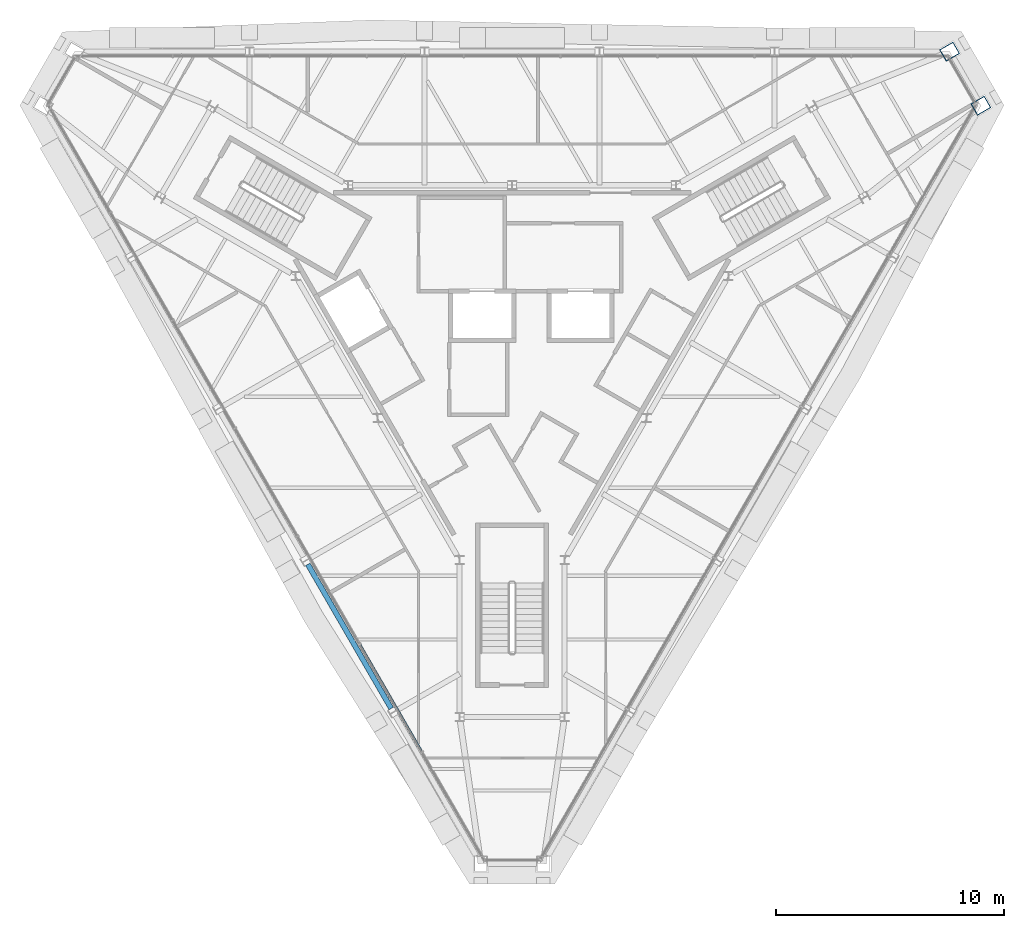
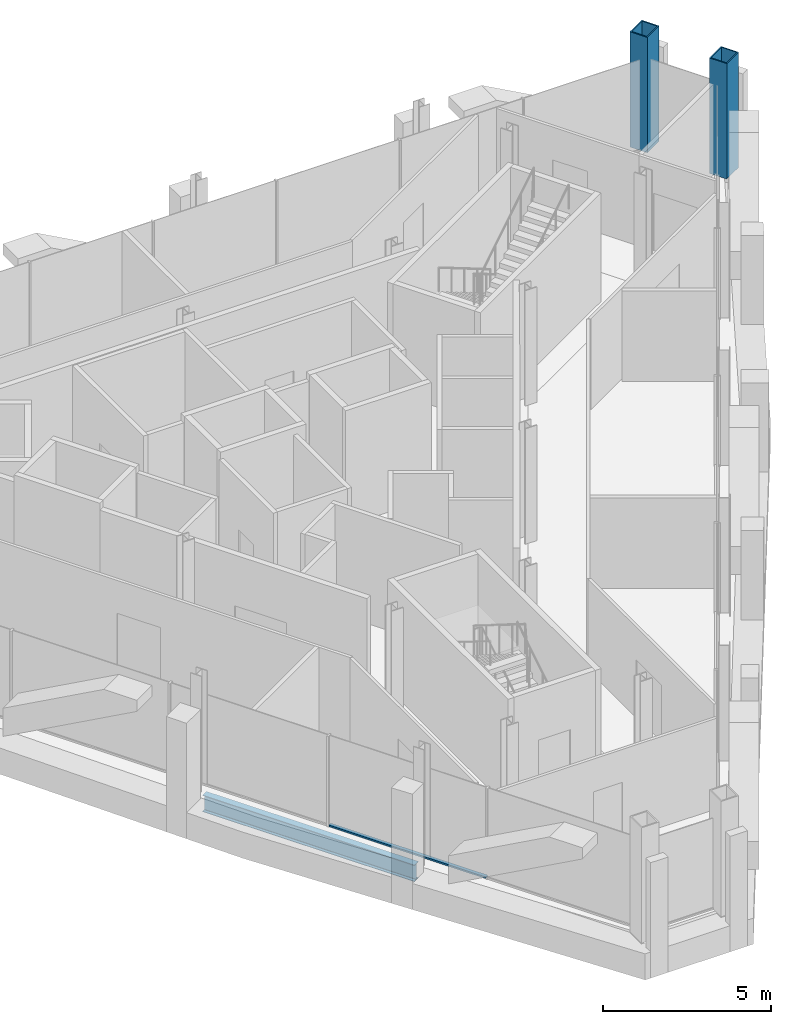
# One storey, part 2 of 13: 2 columns, 1 beam, 1 member, 1 element without a shape of its own.
"""IFC4 building model written with IfcOpenShell, lengths in metres."""

import ifcopenshell
import ifcopenshell.guid

model = None  # the IFC model being written
_history = None  # IfcOwnerHistory: only IFC2X3 demands one
_inside = {}  # id of a spatial element -> (the spatial element, [elements in it])
_under = {}  # id of a project, library or spatial element -> (it, [spatial elements below it])
_declared = {}  # id of a project -> (the project, [libraries it declares])
_typed = {}  # id of a type object -> (the type object, [elements of that type])
_made_of = {}  # id of a material, layer set ... -> (it, [elements and type objects made of it])


def new_model(schema):
    """Start an empty IFC model of exactly this schema.

    Asked for "IFC4X3", IfcOpenShell would pick the latest addendum, in which some entities
    have other attributes; the version numbers below select the first issue.
    IFC2X3 requires an IfcOwnerHistory on every rooted entity: one is made here for all.
    """
    global model, _history
    if schema == "IFC4X3":
        model = ifcopenshell.file(schema_version=(4, 3, 0, 0))
    else:
        model = ifcopenshell.file(schema=schema)
    _inside.clear()
    _under.clear()
    _declared.clear()
    _typed.clear()
    _made_of.clear()
    _history = None
    if model.schema == "IFC2X3":
        org = make("IfcOrganization", Name="unknown")
        user = make(
            "IfcPersonAndOrganization",
            ThePerson=make("IfcPerson", FamilyName="unknown"),
            TheOrganization=org,
        )
        app = make(
            "IfcApplication",
            ApplicationDeveloper=org,
            Version="unknown",
            ApplicationFullName="unknown",
            ApplicationIdentifier="unknown",
        )
        _history = make(
            "IfcOwnerHistory",
            OwningUser=user,
            OwningApplication=app,
            ChangeAction="ADDED",
            CreationDate=0,
        )
    return model


def make(cls, **values):
    """One entity of the class cls with the attributes given. An attribute that is None is left unset."""
    return model.create_entity(
        cls, **{name: value for name, value in values.items() if value is not None}
    )


def rooted(cls, **values):
    """An entity with a GlobalId (a new one), such as an element, a storey or a relation."""
    return make(cls, GlobalId=ifcopenshell.guid.new(), OwnerHistory=_history, **values)


def si_unit(unit_type, name, prefix=None):
    """IfcSIUnit, for example si_unit("LENGTHUNIT", "METRE", prefix="MILLI")."""
    return make("IfcSIUnit", UnitType=unit_type, Prefix=prefix, Name=name)


def assignment(units):
    """IfcUnitAssignment: the units of a project."""
    return None if units is None else make("IfcUnitAssignment", Units=units)


def point(xyz):
    """IfcCartesianPoint."""
    return None if xyz is None else make("IfcCartesianPoint", Coordinates=xyz)


def direction(xyz):
    """IfcDirection."""
    return None if xyz is None else make("IfcDirection", DirectionRatios=xyz)


def frame(location, z_axis=None, x_axis=None):
    """IfcAxis2Placement3D, a coordinate frame: its origin and axes. An axis left out is left unset."""
    return make(
        "IfcAxis2Placement3D",
        Location=point(location),
        Axis=direction(z_axis),
        RefDirection=direction(x_axis),
    )


def frame_2d(location, x_axis=None):
    """IfcAxis2Placement2D, a coordinate frame in the plane: its origin and x axis."""
    return make(
        "IfcAxis2Placement2D", Location=point(location), RefDirection=direction(x_axis)
    )


def origin():
    """The frame at (0, 0, 0) with its axes left unset."""
    return frame((0.0, 0.0, 0.0))


def origin_2d():
    """The frame at (0, 0) in the plane with its x axis left unset."""
    return frame_2d((0.0, 0.0))


def place(relative_to, where):
    """IfcLocalPlacement: puts the frame where relative to a parent placement (None: the world)."""
    return make(
        "IfcLocalPlacement", PlacementRelTo=relative_to, RelativePlacement=where
    )


def context(
    kind, dimensions, precision=None, world=None, true_north=None, identifier=None
):
    """IfcGeometricRepresentationContext, for example the 3D "Model" context."""
    return make(
        "IfcGeometricRepresentationContext",
        ContextIdentifier=identifier,
        ContextType=kind,
        CoordinateSpaceDimension=dimensions,
        Precision=precision,
        WorldCoordinateSystem=world,
        TrueNorth=true_north,
    )


def subcontext(parent, identifier, kind, view, scale=None):
    """IfcGeometricRepresentationSubContext, for example "Body" below "Model"."""
    return make(
        "IfcGeometricRepresentationSubContext",
        ContextIdentifier=identifier,
        ContextType=kind,
        ParentContext=parent,
        TargetScale=scale,
        TargetView=view,
    )


def project(units=None, contexts=None):
    """IfcProject with its units and contexts."""
    return rooted(
        "IfcProject",
        Name="project",
        RepresentationContexts=contexts,
        UnitsInContext=assignment(units),
    )


def spatial(cls, under=None, at=None, **own):
    """A site, building, storey or space (cls), placed at a placement, below another one or the project."""
    s = rooted(cls, ObjectPlacement=at, **own)
    if under is not None:
        _under.setdefault(under.id(), (under, []))[1].append(s)
    return s


def profile(cls, at=None, kind="AREA", **sizes):
    """A parametric profile (cls). Its sizes go by their IFC names, for example OverallWidth=200.0."""
    return make(cls, ProfileType=kind, Position=at, **sizes)


def rectangle(**sizes):
    """IfcRectangleProfileDef."""
    return profile("IfcRectangleProfileDef", **sizes)


def hollow_rectangle(**sizes):
    """IfcRectangleHollowProfileDef."""
    return profile("IfcRectangleHollowProfileDef", **sizes)


def i_section(**sizes):
    """IfcIShapeProfileDef."""
    return profile("IfcIShapeProfileDef", **sizes)


def extrude(swept, where, along, depth):
    """IfcExtrudedAreaSolid: the profile swept, set in the frame where, extruded along a direction by depth."""
    return make(
        "IfcExtrudedAreaSolid",
        SweptArea=swept,
        Position=where,
        ExtrudedDirection=direction(along),
        Depth=depth,
    )


def shape(context_of_items, identifier, shape_type, items):
    """IfcShapeRepresentation: the items that make up one representation, for example the "Body"."""
    return make(
        "IfcShapeRepresentation",
        ContextOfItems=context_of_items,
        RepresentationIdentifier=identifier,
        RepresentationType=shape_type,
        Items=items,
    )


def material(Name=None, Category=None):
    """IfcMaterial."""
    return make("IfcMaterial", Name=Name, Category=Category)


def material_profile(
    of_material, cross_section, Name=None, Category=None, Priority=None
):
    """IfcMaterialProfile: a cross section and its material."""
    return make(
        "IfcMaterialProfile",
        Name=Name,
        Material=of_material,
        Profile=cross_section,
        Priority=Priority,
        Category=Category,
    )


def profile_set(profiles, Name=None, composite=None):
    """IfcMaterialProfileSet."""
    return make(
        "IfcMaterialProfileSet",
        Name=Name,
        MaterialProfiles=profiles,
        CompositeProfile=composite,
    )


def made_of(thing, what):
    """Note that an element or type object is made of a material, layer set ...; save() writes the relation."""
    if what is not None:
        _made_of.setdefault(what.id(), (what, []))[1].append(thing)
    return thing


def type_object(cls, material=None, **own):
    """A type object (cls), such as IfcWallType, which elements share."""
    return made_of(rooted(cls, **own), material)


def element(
    cls,
    number,
    at=None,
    inside=None,
    cuts=None,
    type_object=None,
    material=None,
    context=None,
    identifier="Body",
    shape_type=None,
    held_by="IfcProductDefinitionShape",
    body=None,
    shapes=None,
    **own,
):
    """One element of the class cls, such as IfcWall. Its Tag is "e" and its number.

    at: its placement. inside: the storey or other place that contains it. cuts: it is an
    opening in that element (IfcRelVoidsElement). A single representation is given by context,
    identifier, shape_type and body (its items); several are given by shapes. held_by: the class
    of the entity that holds the representations. save() writes the other relations.
    """
    e = rooted(cls, Tag="e%d" % number, ObjectPlacement=at, **own)
    if body is not None:
        shapes = [shape(context, identifier, shape_type, body)]
    if shapes is not None:
        e.Representation = make(held_by, Representations=shapes)
    if inside is not None:
        _inside.setdefault(inside.id(), (inside, []))[1].append(e)
    if cuts is not None:
        rooted(
            "IfcRelVoidsElement", RelatingBuildingElement=cuts, RelatedOpeningElement=e
        )
    if type_object is not None:
        _typed.setdefault(type_object.id(), (type_object, []))[1].append(e)
    return made_of(e, material)


def aggregate(whole, parts):
    """IfcRelAggregates: a whole, such as a stair, and the parts it consists of."""
    return rooted("IfcRelAggregates", RelatingObject=whole, RelatedObjects=parts)


def save(model, path):
    """Write the relations noted so far, then the file.

    IfcRelAggregates (storeys below a building ...), IfcRelContainedInSpatialStructure (elements
    in a storey), IfcRelDefinesByType, IfcRelAssociatesMaterial and IfcRelDeclares: one each for
    every whole, place, type object, material and project.
    """
    for whole, parts in _under.values():
        aggregate(whole, parts)
    for where, things in _inside.values():
        rooted(
            "IfcRelContainedInSpatialStructure",
            RelatedElements=things,
            RelatingStructure=where,
        )
    for kind, things in _typed.values():
        rooted("IfcRelDefinesByType", RelatedObjects=things, RelatingType=kind)
    for what, things in _made_of.values():
        rooted("IfcRelAssociatesMaterial", RelatedObjects=things, RelatingMaterial=what)
    for by, libraries in _declared.values():
        rooted("IfcRelDeclares", RelatingContext=by, RelatedDefinitions=libraries)
    model.write(path)


model = new_model("IFC4")

# Units and contexts
model_context = context("Model", 3, precision=1e-05, world=origin(), true_north=direction((0.0, 1.0)))
body_context = subcontext(model_context, "Body", "Model", "MODEL_VIEW")
ifc_project = project(units=[si_unit("LENGTHUNIT", "METRE"), si_unit("AREAUNIT", "SQUARE_METRE"), si_unit("VOLUMEUNIT", "CUBIC_METRE"), si_unit("PLANEANGLEUNIT", "RADIAN"), si_unit("MASSUNIT", "GRAM", prefix="KILO")], contexts=[model_context])

# Site, building, storey
site_placement = place(None, origin())
site = spatial("IfcSite", under=ifc_project, at=site_placement, CompositionType="ELEMENT")
building_placement = place(site_placement, origin())
building = spatial("IfcBuilding", under=site, at=building_placement, Name="Verrane Prism Tower", CompositionType="ELEMENT")
storey_placement = place(building_placement, frame((0.0, 0.0, 312.60009765625)))
storey = spatial("IfcBuildingStorey", under=building, at=storey_placement, Name="L79", CompositionType="ELEMENT", Elevation=312.60009765625)

# Columns
ifc_material_1 = material(Name="Steel A572 Grade 50", Category="steel")
ifc_material_profile_1 = material_profile(ifc_material_1, hollow_rectangle(XDim=0.60009765625, YDim=0.699951171875, WallThickness=0.0400390625, at=origin_2d()), Name="BOX 700x600x40")
ifc_profile_set_1 = profile_set([ifc_material_profile_1], Name="Steel A572 Grade 50")
column_type = type_object("IfcColumnType", Name="Megacolumn BOX 700x600x40", PredefinedType="COLUMN", material=ifc_profile_set_1)
for number, where, z_axis, x_axis, name in (
    (1, (19.169921875, 12.64990234375, 0.0), (0.0, 0.0, 1.0), (0.5, -0.866025403784, 0.0), "Megacolumn MC-NE.b L79"),
    (2, (20.5400390625, 10.280029296875, 0.0), (0.0, 0.0, 1.0), (0.5, -0.866025403784, 0.0), "Megacolumn MC-NE.a L79"),
):
    element("IfcColumn", number, at=place(storey_placement, frame(where, z_axis=z_axis, x_axis=x_axis)), inside=storey, type_object=column_type, Name=name, PredefinedType="COLUMN", context=body_context, shape_type="SweptSolid", body=[
        extrude(hollow_rectangle(XDim=0.60009765625, YDim=0.699951171875, WallThickness=0.0400390625, at=origin_2d()), origin(), (0.0, 0.0, 1.0), 4.199951171875),
    ])

# Beam
ifc_material_2 = material(Name="Steel A992", Category="steel")
ifc_material_profile_2 = material_profile(ifc_material_2, i_section(OverallWidth=0.228271484375, OverallDepth=0.607177734375, WebThickness=0.01123046875, FlangeThickness=0.017333984375, FilletRadius=0.0126953125, at=origin_2d()), Name="W24x76")
ifc_profile_set_2 = profile_set([ifc_material_profile_2], Name="Steel A992")
beam_type = type_object("IfcBeamType", Name="Spandrel beam W24x76", PredefinedType="SPANDREL", material=ifc_profile_set_2)
beam_placement = place(storey_placement, frame((-8.946533203125, -9.8115234375, -0.463623046875), z_axis=(0.50061813753, -0.865668227658, 0.0), x_axis=(0.865668227658, 0.50061813753, 0.0)))
element("IfcBeam", 3, at=beam_placement, inside=storey, type_object=beam_type, Name="Spandrel beam L79", PredefinedType="SPANDREL", context=body_context, shape_type="SweptSolid", body=[
    extrude(i_section(OverallWidth=0.228271484375, OverallDepth=0.607177734375, WebThickness=0.01123046875, FlangeThickness=0.017333984375, FilletRadius=0.0126953125, at=origin_2d()), origin(), (0.0, 0.0, 1.0), 7.297119140625),
])

# Curtain wall, member
ifc_material_3 = material(Name="Aluminium framed insulated glazing", Category="aluminium")
curtain_wall_type = type_object("IfcCurtainWallType", Name="Curtain wall CW-B 5600 module", PredefinedType="NOTDEFINED", material=ifc_material_3)
curtain_wall_placement = place(storey_placement, origin())
curtain_wall = element("IfcCurtainWall", 4, at=curtain_wall_placement, inside=storey, type_object=curtain_wall_type, Name="Glazed curtain wall south-west face L79", PredefinedType="NOTDEFINED")
ifc_material_4 = material(Name="Aluminium alloy 6063-T6", Category="aluminium")
ifc_material_profile_3 = material_profile(ifc_material_4, rectangle(XDim=0.1201171875, YDim=0.06005859375, at=origin_2d()), Name="Transom 60x120 aluminium")
ifc_profile_set_3 = profile_set([ifc_material_profile_3], Name="Aluminium alloy 6063-T6")
member_type = type_object("IfcMemberType", Name="Transom 60x120 aluminium", PredefinedType="USERDEFINED", material=ifc_profile_set_3)
member_placement = place(storey_placement, frame((-6.668701171875, -13.34375, 0.02978515625), z_axis=(0.499984615007, -0.866034286132, 0.0), x_axis=(0.866034286132, 0.499984615007, 0.0)))
member = element("IfcMember", 5, at=member_placement, type_object=member_type, Name="CW79.4 transom 6", ObjectType="TRANSOM", PredefinedType="USERDEFINED", context=body_context, shape_type="SweptSolid", body=[
    extrude(rectangle(XDim=0.1201171875, YDim=0.06005859375, at=origin_2d()), origin(), (0.0, 0.0, 1.0), 5.401123046875),
])
aggregate(curtain_wall, [member])

save(model, "model.ifc")
